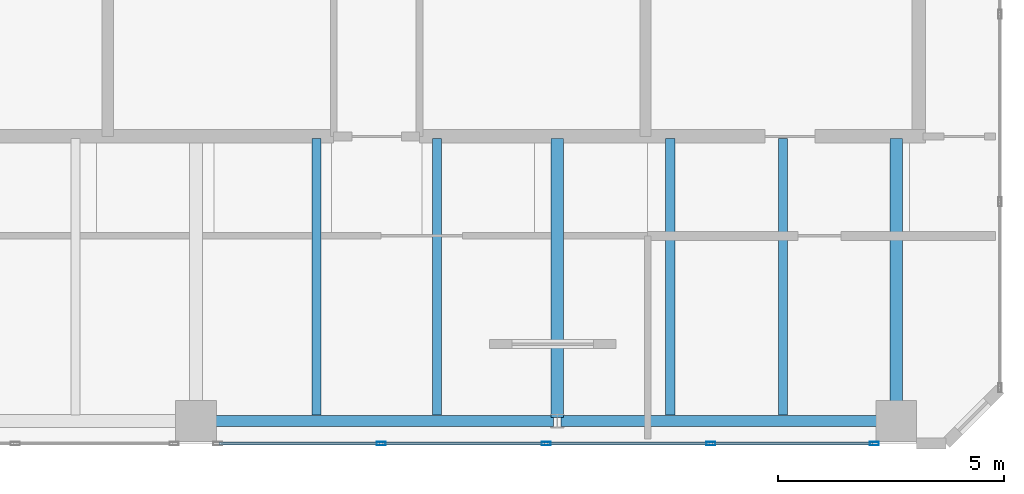
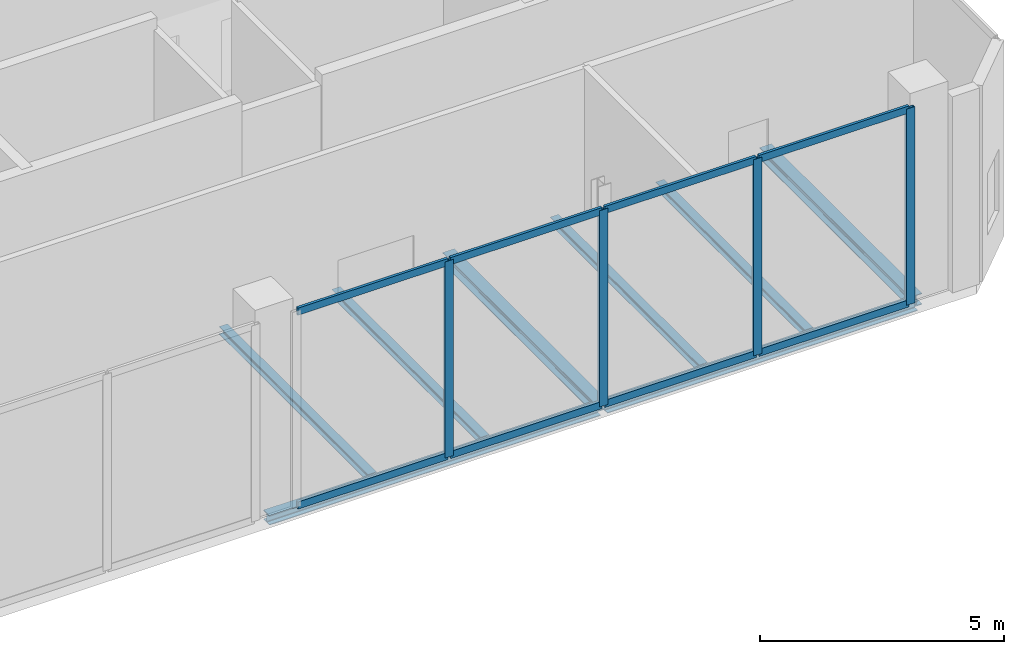
# One storey, part 5 of 10: 12 members, 8 beams, 1 element without a shape of its own.
"""IFC4 building model written with IfcOpenShell, lengths in metres."""

from ifc_helpers import new_model, si_unit, direction, frame, origin, origin_2d, place, context, subcontext, project, spatial, hollow_rectangle, i_section, extrude, material, layer, layer_set, material_profile, profile_set, type_object, element, aggregate, save


model = new_model("IFC4")

# Units and contexts
model_context = context("Model", 3, precision=1e-05, world=origin(), true_north=direction((0.0, 1.0)))
body_context = subcontext(model_context, "Body", "Model", "MODEL_VIEW")
ifc_project = project(units=[si_unit("LENGTHUNIT", "METRE"), si_unit("AREAUNIT", "SQUARE_METRE"), si_unit("VOLUMEUNIT", "CUBIC_METRE"), si_unit("PLANEANGLEUNIT", "RADIAN"), si_unit("MASSUNIT", "GRAM", prefix="KILO")], contexts=[model_context])

# Site, building, storey
site_placement = place(None, origin())
site = spatial("IfcSite", under=ifc_project, at=site_placement, CompositionType="ELEMENT")
building_placement = place(site_placement, origin())
building = spatial("IfcBuilding", under=site, at=building_placement, Name="Catumbela Crestline Tower", CompositionType="ELEMENT")
storey_placement = place(building_placement, frame((0.0, 0.0, 295.8)))
storey = spatial("IfcBuildingStorey", under=building, at=storey_placement, Name="L76", CompositionType="ELEMENT", Elevation=295.8)

# Beams
ifc_material_1 = material(Name="Structural steel S355J2", Category="steel")
ifc_material_profile_1 = material_profile(ifc_material_1, i_section(OverallWidth=0.28, OverallDepth=0.28, WebThickness=0.0105, FlangeThickness=0.018, FilletRadius=0.024, at=origin_2d()), Name="HEB 280")
ifc_profile_set_1 = profile_set([ifc_material_profile_1], Name="Structural steel S355J2")
beam_type_1 = type_object("IfcBeamType", Name="BG-HEB280", PredefinedType="BEAM", material=ifc_profile_set_1)
for number, where, z_axis, x_axis, name in (
    (1, (32.0, 24.58, -0.46), (0.0, 1.0, 0.0), (-1.0, 0.0, 0.0), "L76 Beam BM-L76-SNS06"),
    (2, (39.5, 24.58, -0.46), (0.0, 1.0, 0.0), (-1.0, 0.0, 0.0), "L76 Beam BM-L76-SNS07"),
):
    element("IfcBeam", number, at=place(storey_placement, frame(where, z_axis=z_axis, x_axis=x_axis)), inside=storey, type_object=beam_type_1, Name=name, PredefinedType="BEAM", context=body_context, shape_type="SweptSolid", body=[
        extrude(i_section(OverallWidth=0.28, OverallDepth=0.28, WebThickness=0.0105, FlangeThickness=0.018, FilletRadius=0.024, at=origin_2d()), origin(), (0.0, 0.0, 1.0), 6.17),
    ])
ifc_material_profile_2 = material_profile(ifc_material_1, i_section(OverallWidth=0.2, OverallDepth=0.19, WebThickness=0.0065, FlangeThickness=0.01, FilletRadius=0.018, at=origin_2d()), Name="HEA 200")
ifc_profile_set_2 = profile_set([ifc_material_profile_2], Name="Structural steel S355J2")
beam_type_2 = type_object("IfcBeamType", Name="BJ-HEA200", PredefinedType="JOIST", material=ifc_profile_set_2)
for number, where, z_axis, x_axis, name in (
    (3, (26.667, 24.637, -0.415), (0.0, 1.0, 0.0), (-1.0, 0.0, 0.0), "L76 Joist JS-L76-SP10"),
    (4, (29.333, 24.637, -0.415), (0.0, 1.0, 0.0), (-1.0, 0.0, 0.0), "L76 Joist JS-L76-SP11"),
    (5, (34.5, 24.637, -0.415), (0.0, 1.0, 0.0), (-1.0, 0.0, 0.0), "L76 Joist JS-L76-SP12"),
    (6, (37.0, 24.637, -0.415), (0.0, 1.0, 0.0), (-1.0, 0.0, 0.0), "L76 Joist JS-L76-SP13"),
):
    element("IfcBeam", number, at=place(storey_placement, frame(where, z_axis=z_axis, x_axis=x_axis)), inside=storey, type_object=beam_type_2, Name=name, PredefinedType="JOIST", context=body_context, shape_type="SweptSolid", body=[
        extrude(i_section(OverallWidth=0.2, OverallDepth=0.19, WebThickness=0.0065, FlangeThickness=0.01, FilletRadius=0.018, at=origin_2d()), origin(), (0.0, 0.0, 1.0), 6.113),
    ])

# Curtain wall, members
ifc_material_2 = material(Name="Aluminium alloy AW-6060-T66", Category="aluminium")
ifc_layer = layer(ifc_material_2, 0.18, Name="Aluminium alloy AW-6060-T66")
ifc_layer_set = layer_set([ifc_layer], Name="Aluminium alloy AW-6060-T66")
curtain_wall_type = type_object("IfcCurtainWallType", Name="CWS-OBS", PredefinedType="USERDEFINED", material=ifc_layer_set)
curtain_wall_placement = place(storey_placement, origin())
curtain_wall = element("IfcCurtainWall", 7, at=curtain_wall_placement, inside=storey, type_object=curtain_wall_type, Name="L76 Stick Curtain Wall CW-L76-E0S3", ObjectType="STICK", PredefinedType="USERDEFINED")
ifc_material_profile_3 = material_profile(ifc_material_2, hollow_rectangle(XDim=0.075, YDim=0.2, WallThickness=0.005, at=origin_2d()), Name="ALU 200x75x5")
ifc_profile_set_3 = profile_set([ifc_material_profile_3], Name="Aluminium alloy AW-6060-T66")
member_type_1 = type_object("IfcMemberType", Name="MUL-200X75", PredefinedType="MULLION", material=ifc_profile_set_3)
member_1_placement = place(storey_placement, frame((28.1, 24.0, 0.0), z_axis=(0.0, 0.0, 1.0), x_axis=(0.0, 1.0, 0.0)))
member_1 = element("IfcMember", 8, at=member_1_placement, type_object=member_type_1, Name="CWS-OBS mullion 2", PredefinedType="MULLION", context=body_context, shape_type="SweptSolid", body=[
    extrude(hollow_rectangle(XDim=0.075, YDim=0.2, WallThickness=0.005, at=origin_2d()), origin(), (0.0, 0.0, 1.0), 4.91),
])
member_2_placement = place(storey_placement, frame((31.75, 24.0, 0.0), z_axis=(0.0, 0.0, 1.0), x_axis=(0.0, 1.0, 0.0)))
member_2 = element("IfcMember", 9, at=member_2_placement, type_object=member_type_1, Name="CWS-OBS mullion 3", PredefinedType="MULLION", context=body_context, shape_type="SweptSolid", body=[
    extrude(hollow_rectangle(XDim=0.075, YDim=0.2, WallThickness=0.005, at=origin_2d()), origin(), (0.0, 0.0, 1.0), 4.91),
])
member_3_placement = place(storey_placement, frame((35.4, 24.0, 0.0), z_axis=(0.0, 0.0, 1.0), x_axis=(0.0, 1.0, 0.0)))
member_3 = element("IfcMember", 10, at=member_3_placement, type_object=member_type_1, Name="CWS-OBS mullion 4", PredefinedType="MULLION", context=body_context, shape_type="SweptSolid", body=[
    extrude(hollow_rectangle(XDim=0.075, YDim=0.2, WallThickness=0.005, at=origin_2d()), origin(), (0.0, 0.0, 1.0), 4.91),
])
member_4_placement = place(storey_placement, frame((39.0175, 24.0, 0.0), z_axis=(0.0, 0.0, 1.0), x_axis=(0.0, 1.0, 0.0)))
member_4 = element("IfcMember", 11, at=member_4_placement, type_object=member_type_1, Name="CWS-OBS mullion 5", PredefinedType="MULLION", context=body_context, shape_type="SweptSolid", body=[
    extrude(hollow_rectangle(XDim=0.075, YDim=0.2, WallThickness=0.005, at=origin_2d()), origin(), (0.0, 0.0, 1.0), 4.91),
])

# Beams
ifc_material_profile_4 = material_profile(ifc_material_1, i_section(OverallWidth=0.24, OverallDepth=0.24, WebThickness=0.01, FlangeThickness=0.017, FilletRadius=0.021, at=origin_2d()), Name="HEB 240")
ifc_profile_set_4 = profile_set([ifc_material_profile_4], Name="Structural steel S355J2")
beam_type_3 = type_object("IfcBeamType", Name="BS-HEB240", PredefinedType="SPANDREL", material=ifc_profile_set_4)
beam_1_placement = place(storey_placement, frame((24.08, 24.5, -0.44), z_axis=(1.0, 0.0, 0.0), x_axis=(0.0, 1.0, 0.0)))
element("IfcBeam", 12, at=beam_1_placement, inside=storey, type_object=beam_type_3, Name="L76 Spandrel SP-L76-S02", PredefinedType="SPANDREL", context=body_context, shape_type="SweptSolid", body=[
    extrude(i_section(OverallWidth=0.24, OverallDepth=0.24, WebThickness=0.01, FlangeThickness=0.017, FilletRadius=0.021, at=origin_2d()), origin(), (0.0, 0.0, 1.0), 7.84),
])
beam_2_placement = place(storey_placement, frame((32.08, 24.5, -0.44), z_axis=(1.0, 0.0, 0.0), x_axis=(0.0, 1.0, 0.0)))
element("IfcBeam", 13, at=beam_2_placement, inside=storey, type_object=beam_type_3, Name="L76 Spandrel SP-L76-S03", PredefinedType="SPANDREL", context=body_context, shape_type="SweptSolid", body=[
    extrude(i_section(OverallWidth=0.24, OverallDepth=0.24, WebThickness=0.01, FlangeThickness=0.017, FilletRadius=0.021, at=origin_2d()), origin(), (0.0, 0.0, 1.0), 7.34),
])

# Member
ifc_material_profile_5 = material_profile(ifc_material_2, hollow_rectangle(XDim=0.065, YDim=0.18, WallThickness=0.004, at=origin_2d()), Name="ALU 180x65x4")
ifc_profile_set_5 = profile_set([ifc_material_profile_5], Name="Aluminium alloy AW-6060-T66")
member_type_2 = type_object("IfcMemberType", Name="TRN-180X65", PredefinedType="USERDEFINED", material=ifc_profile_set_5)
member_5_placement = place(storey_placement, frame((24.515, 24.0, 0.03), z_axis=(1.0, 0.0, 0.0), x_axis=(0.0, 1.0, 0.0)))
member_5 = element("IfcMember", 14, at=member_5_placement, type_object=member_type_2, Name="CWS-OBS transom 1.1", ObjectType="TRANSOM", PredefinedType="USERDEFINED", context=body_context, shape_type="SweptSolid", body=[
    extrude(hollow_rectangle(XDim=0.065, YDim=0.18, WallThickness=0.004, at=origin_2d()), origin(), (0.0, 0.0, 1.0), 3.5525),
])

member_6_placement = place(storey_placement, frame((24.515, 24.0, 4.88), z_axis=(1.0, 0.0, 0.0), x_axis=(0.0, 1.0, 0.0)))
member_6 = element("IfcMember", 15, at=member_6_placement, type_object=member_type_2, Name="CWS-OBS transom 1.2", ObjectType="TRANSOM", PredefinedType="USERDEFINED", context=body_context, shape_type="SweptSolid", body=[
    extrude(hollow_rectangle(XDim=0.065, YDim=0.18, WallThickness=0.004, at=origin_2d()), origin(), (0.0, 0.0, 1.0), 3.5525),
])

member_7_placement = place(storey_placement, frame((28.1325, 24.0, 0.03), z_axis=(1.0, 0.0, 0.0), x_axis=(0.0, 1.0, 0.0)))
member_7 = element("IfcMember", 16, at=member_7_placement, type_object=member_type_2, Name="CWS-OBS transom 2.1", ObjectType="TRANSOM", PredefinedType="USERDEFINED", context=body_context, shape_type="SweptSolid", body=[
    extrude(hollow_rectangle(XDim=0.065, YDim=0.18, WallThickness=0.004, at=origin_2d()), origin(), (0.0, 0.0, 1.0), 3.585),
])

member_8_placement = place(storey_placement, frame((28.1325, 24.0, 4.88), z_axis=(1.0, 0.0, 0.0), x_axis=(0.0, 1.0, 0.0)))
member_8 = element("IfcMember", 17, at=member_8_placement, type_object=member_type_2, Name="CWS-OBS transom 2.2", ObjectType="TRANSOM", PredefinedType="USERDEFINED", context=body_context, shape_type="SweptSolid", body=[
    extrude(hollow_rectangle(XDim=0.065, YDim=0.18, WallThickness=0.004, at=origin_2d()), origin(), (0.0, 0.0, 1.0), 3.585),
])

member_9_placement = place(storey_placement, frame((31.7825, 24.0, 0.03), z_axis=(1.0, 0.0, 0.0), x_axis=(0.0, 1.0, 0.0)))
member_9 = element("IfcMember", 18, at=member_9_placement, type_object=member_type_2, Name="CWS-OBS transom 3.1", ObjectType="TRANSOM", PredefinedType="USERDEFINED", context=body_context, shape_type="SweptSolid", body=[
    extrude(hollow_rectangle(XDim=0.065, YDim=0.18, WallThickness=0.004, at=origin_2d()), origin(), (0.0, 0.0, 1.0), 3.585),
])

member_10_placement = place(storey_placement, frame((31.7825, 24.0, 4.88), z_axis=(1.0, 0.0, 0.0), x_axis=(0.0, 1.0, 0.0)))
member_10 = element("IfcMember", 19, at=member_10_placement, type_object=member_type_2, Name="CWS-OBS transom 3.2", ObjectType="TRANSOM", PredefinedType="USERDEFINED", context=body_context, shape_type="SweptSolid", body=[
    extrude(hollow_rectangle(XDim=0.065, YDim=0.18, WallThickness=0.004, at=origin_2d()), origin(), (0.0, 0.0, 1.0), 3.585),
])

member_11_placement = place(storey_placement, frame((35.4325, 24.0, 0.03), z_axis=(1.0, 0.0, 0.0), x_axis=(0.0, 1.0, 0.0)))
member_11 = element("IfcMember", 20, at=member_11_placement, type_object=member_type_2, Name="CWS-OBS transom 4.1", ObjectType="TRANSOM", PredefinedType="USERDEFINED", context=body_context, shape_type="SweptSolid", body=[
    extrude(hollow_rectangle(XDim=0.065, YDim=0.18, WallThickness=0.004, at=origin_2d()), origin(), (0.0, 0.0, 1.0), 3.5525),
])

member_12_placement = place(storey_placement, frame((35.4325, 24.0, 4.88), z_axis=(1.0, 0.0, 0.0), x_axis=(0.0, 1.0, 0.0)))
member_12 = element("IfcMember", 21, at=member_12_placement, type_object=member_type_2, Name="CWS-OBS transom 4.2", ObjectType="TRANSOM", PredefinedType="USERDEFINED", context=body_context, shape_type="SweptSolid", body=[
    extrude(hollow_rectangle(XDim=0.065, YDim=0.18, WallThickness=0.004, at=origin_2d()), origin(), (0.0, 0.0, 1.0), 3.5525),
])

aggregate(curtain_wall, [member_1, member_2, member_3, member_4, member_5, member_6, member_7, member_8, member_9, member_10, member_11, member_12])

save(model, "model.ifc")
